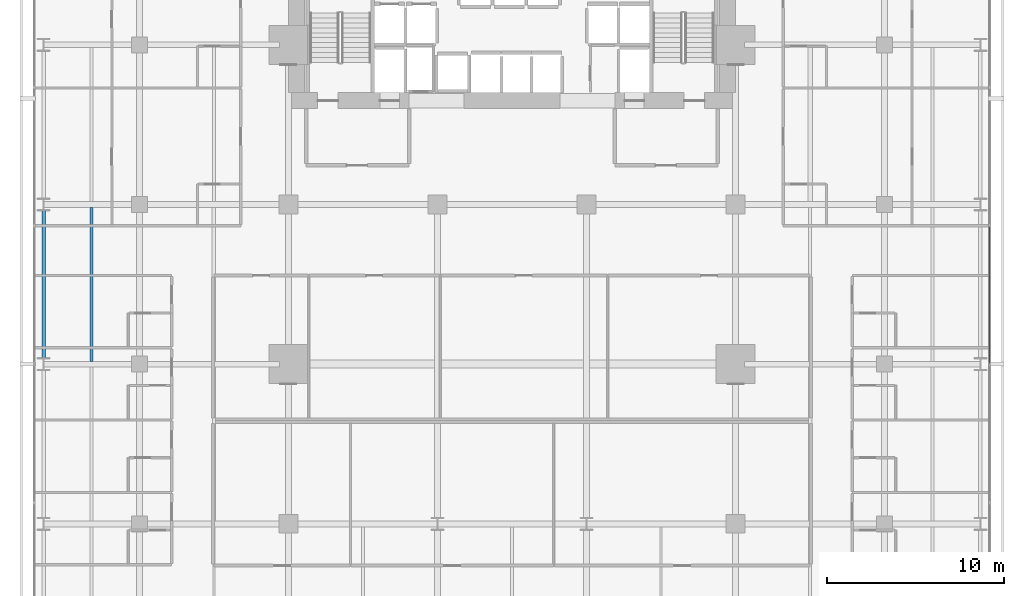
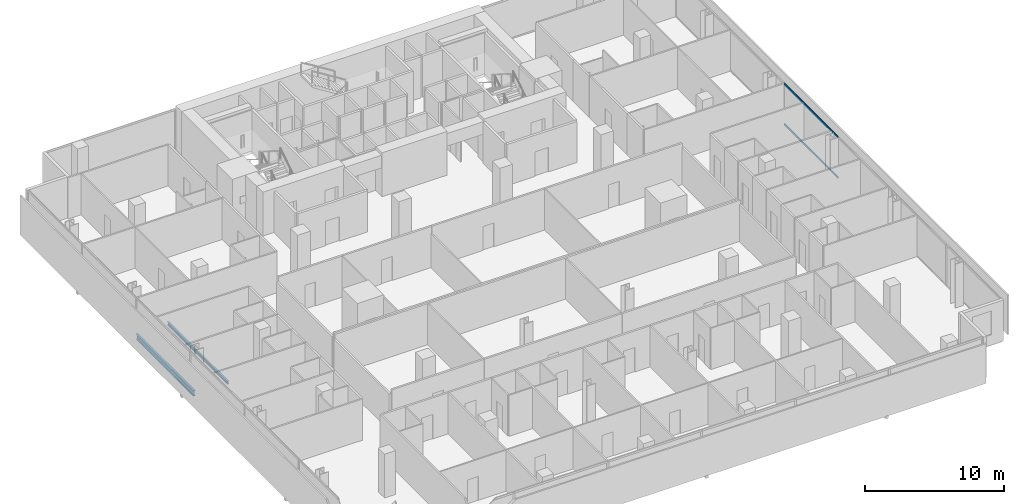
# One storey, part 20 of 40: 2 beams, 2 members, 1 element without a shape of its own.
"""IFC4 building model written with IfcOpenShell, lengths in metres."""

from ifc_helpers import new_model, si_unit, direction, frame, origin, origin_2d, place, context, subcontext, project, spatial, hollow_rectangle, i_section, extrude, material, layer, layer_set, material_profile, profile_set, type_object, element, aggregate, save


model = new_model("IFC4")

# Units and contexts
model_context = context("Model", 3, precision=1e-05, world=origin(), true_north=direction((0.0, 1.0)))
body_context = subcontext(model_context, "Body", "Model", "MODEL_VIEW")
ifc_project = project(units=[si_unit("LENGTHUNIT", "METRE"), si_unit("AREAUNIT", "SQUARE_METRE"), si_unit("VOLUMEUNIT", "CUBIC_METRE"), si_unit("PLANEANGLEUNIT", "RADIAN"), si_unit("MASSUNIT", "GRAM", prefix="KILO")], contexts=[model_context])

# Site, building, storey
site_placement = place(None, origin())
site = spatial("IfcSite", under=ifc_project, at=site_placement, CompositionType="ELEMENT")
building_placement = place(site_placement, origin())
building = spatial("IfcBuilding", under=site, at=building_placement, Name="Maruvema Waterfront Hotel and Observation Tower", CompositionType="ELEMENT")
storey_placement = place(building_placement, frame((0.0, 0.0, 57.75)))
storey = spatial("IfcBuildingStorey", under=building, at=storey_placement, Name="L13", CompositionType="ELEMENT", Elevation=57.75)

# Curtain wall, members
ifc_material_1 = material(Name="Anodised bronze aluminium and solar-control low-E IGU", Category="aluminium")
ifc_layer = layer(ifc_material_1, 0.159912109375, Name="Zone 1 Bronze Inner Thermal Curtain Wall System CW-02")
ifc_layer_set = layer_set([ifc_layer], Name="Anodised bronze aluminium and solar-control low-E IGU")
curtain_wall_type = type_object("IfcCurtainWallType", Name="Zone 1 Bronze Inner Thermal Curtain Wall System CW-02", PredefinedType="USERDEFINED", material=ifc_layer_set)
curtain_wall_placement = place(storey_placement, origin())
curtain_wall = element("IfcCurtainWall", 1, at=curtain_wall_placement, inside=storey, type_object=curtain_wall_type, Name="L13 Curtain Wall CW-L13-E", ObjectType="UNITISED CURTAIN WALL", PredefinedType="USERDEFINED")
ifc_material_2 = material(Name="Anodised architectural bronze aluminium", Category="aluminium")
ifc_material_profile_1 = material_profile(ifc_material_2, hollow_rectangle(XDim=0.070068359375, YDim=0.14990234375, WallThickness=0.00390625, at=origin_2d()), Name="ALU-T70x150")
ifc_profile_set_1 = profile_set([ifc_material_profile_1], Name="Anodised architectural bronze aluminium")
member_type = type_object("IfcMemberType", Name="Curtain Wall Horizontal Transom ALU-T70x150", PredefinedType="USERDEFINED", material=ifc_profile_set_1)
member_1_placement = place(storey_placement, frame((64.719970703125, 27.030029296875, 0.030029296875), z_axis=(0.0, 1.0, 0.0), x_axis=(-1.0, 0.0, 0.0)))
member_1 = element("IfcMember", 2, at=member_1_placement, type_object=member_type, Name="CW-02 transom 4.1", ObjectType="TRANSOM", PredefinedType="USERDEFINED", context=body_context, shape_type="SweptSolid", body=[
    extrude(hollow_rectangle(XDim=0.070068359375, YDim=0.14990234375, WallThickness=0.00390625, at=origin_2d()), origin(), (0.0, 0.0, 1.0), 7.739990234375),
])
member_2_placement = place(storey_placement, frame((64.719970703125, 27.030029296875, 3.580078125), z_axis=(0.0, 1.0, 0.0), x_axis=(-1.0, 0.0, 0.0)))
member_2 = element("IfcMember", 3, at=member_2_placement, type_object=member_type, Name="CW-02 transom 4.2", ObjectType="TRANSOM", PredefinedType="USERDEFINED", context=body_context, shape_type="SweptSolid", body=[
    extrude(hollow_rectangle(XDim=0.070068359375, YDim=0.14990234375, WallThickness=0.00390625, at=origin_2d()), origin(), (0.0, 0.0, 1.0), 7.739990234375),
])
aggregate(curtain_wall, [member_1, member_2])

# Beams
ifc_material_3 = material(Name="Steel ASTM A572 Grade 50", Category="steel")
ifc_material_profile_2 = material_profile(ifc_material_3, i_section(OverallWidth=0.18994140625, OverallDepth=0.45703125, WebThickness=0.009033203125, FlangeThickness=0.014404296875, FilletRadius=0.014892578125, at=origin_2d()), Name="W460x74.0")
ifc_profile_set_2 = profile_set([ifc_material_profile_2], Name="Steel ASTM A572 Grade 50")
beam_type_1 = type_object("IfcBeamType", Name="Perimeter Spandrel Beam W460x74.0", PredefinedType="SPANDREL", material=ifc_profile_set_2)
beam_1_placement = place(storey_placement, frame((11.39990234375, 27.35009765625, -0.468505859375), z_axis=(0.0, 1.0, 0.0), x_axis=(-1.0, 0.0, 0.0)))
element("IfcBeam", 4, at=beam_1_placement, inside=storey, type_object=beam_type_1, Name="L13 Floor Girder NS-03", PredefinedType="SPANDREL", context=body_context, shape_type="SweptSolid", body=[
    extrude(i_section(OverallWidth=0.18994140625, OverallDepth=0.45703125, WebThickness=0.009033203125, FlangeThickness=0.014404296875, FilletRadius=0.014892578125, at=origin_2d()), origin(), (0.0, 0.0, 1.0), 8.2998046875),
])
ifc_material_4 = material(Name="Steel ASTM A572 Grade 50", Category="steel")
ifc_material_profile_3 = material_profile(ifc_material_4, i_section(OverallWidth=0.14794921875, OverallDepth=0.26611328125, WebThickness=0.007568359375, FlangeThickness=0.012939453125, FilletRadius=0.012939453125, at=origin_2d()), Name="W250x44.8")
ifc_profile_set_3 = profile_set([ifc_material_profile_3], Name="Steel ASTM A572 Grade 50")
beam_type_2 = type_object("IfcBeamType", Name="Secondary Floor Joist W250x44.8", PredefinedType="JOIST", material=ifc_profile_set_3)
beam_2_placement = place(storey_placement, frame((14.10009765625, 27.16357421875, -0.373046875), z_axis=(0.0, 1.0, 0.0), x_axis=(-1.0, 0.0, 0.0)))
element("IfcBeam", 5, at=beam_2_placement, inside=storey, type_object=beam_type_2, Name="L13 Secondary Floor Joist JS-03", PredefinedType="JOIST", context=body_context, shape_type="SweptSolid", body=[
    extrude(i_section(OverallWidth=0.14794921875, OverallDepth=0.26611328125, WebThickness=0.007568359375, FlangeThickness=0.012939453125, FilletRadius=0.012939453125, at=origin_2d()), origin(), (0.0, 0.0, 1.0), 8.6728515625),
])

save(model, "model.ifc")
